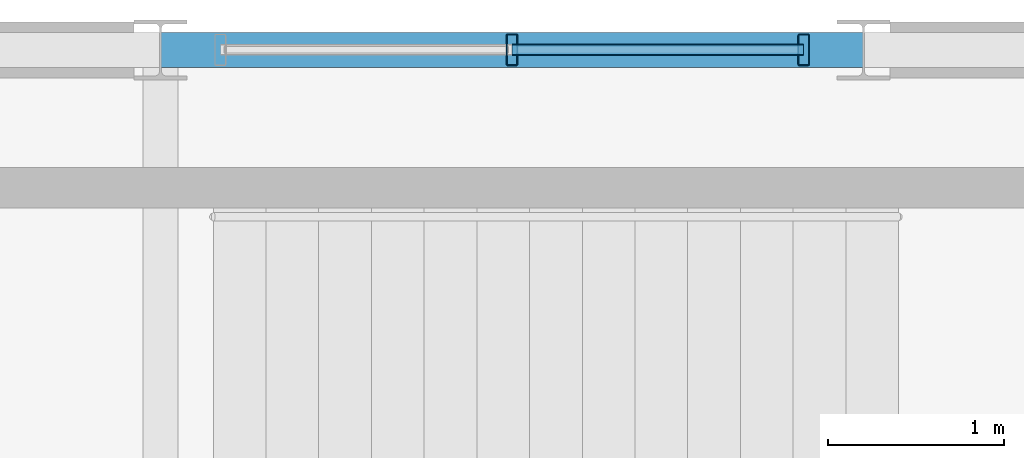
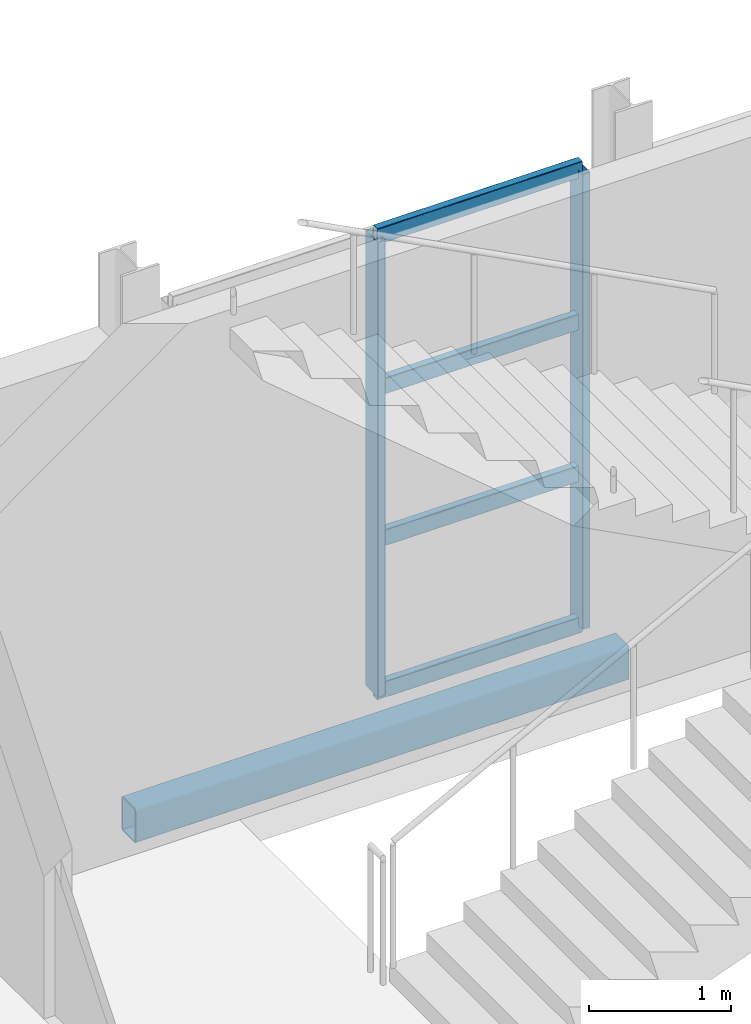
# One storey, part 102 of 153: 6 members, 1 beam, 1 element without a shape of its own.
"""IFC4 building model written with IfcOpenShell, lengths in metres."""

import ifcopenshell
import ifcopenshell.guid

model = None  # the IFC model being written
_history = None  # IfcOwnerHistory: only IFC2X3 demands one
_inside = {}  # id of a spatial element -> (the spatial element, [elements in it])
_under = {}  # id of a project, library or spatial element -> (it, [spatial elements below it])
_declared = {}  # id of a project -> (the project, [libraries it declares])
_typed = {}  # id of a type object -> (the type object, [elements of that type])
_made_of = {}  # id of a material, layer set ... -> (it, [elements and type objects made of it])


def new_model(schema):
    """Start an empty IFC model of exactly this schema.

    Asked for "IFC4X3", IfcOpenShell would pick the latest addendum, in which some entities
    have other attributes; the version numbers below select the first issue.
    IFC2X3 requires an IfcOwnerHistory on every rooted entity: one is made here for all.
    """
    global model, _history
    if schema == "IFC4X3":
        model = ifcopenshell.file(schema_version=(4, 3, 0, 0))
    else:
        model = ifcopenshell.file(schema=schema)
    _inside.clear()
    _under.clear()
    _declared.clear()
    _typed.clear()
    _made_of.clear()
    _history = None
    if model.schema == "IFC2X3":
        org = make("IfcOrganization", Name="unknown")
        user = make(
            "IfcPersonAndOrganization",
            ThePerson=make("IfcPerson", FamilyName="unknown"),
            TheOrganization=org,
        )
        app = make(
            "IfcApplication",
            ApplicationDeveloper=org,
            Version="unknown",
            ApplicationFullName="unknown",
            ApplicationIdentifier="unknown",
        )
        _history = make(
            "IfcOwnerHistory",
            OwningUser=user,
            OwningApplication=app,
            ChangeAction="ADDED",
            CreationDate=0,
        )
    return model


def make(cls, **values):
    """One entity of the class cls with the attributes given. An attribute that is None is left unset."""
    return model.create_entity(
        cls, **{name: value for name, value in values.items() if value is not None}
    )


def rooted(cls, **values):
    """An entity with a GlobalId (a new one), such as an element, a storey or a relation."""
    return make(cls, GlobalId=ifcopenshell.guid.new(), OwnerHistory=_history, **values)


def si_unit(unit_type, name, prefix=None):
    """IfcSIUnit, for example si_unit("LENGTHUNIT", "METRE", prefix="MILLI")."""
    return make("IfcSIUnit", UnitType=unit_type, Prefix=prefix, Name=name)


def derived_unit(unit_type, elements):
    """IfcDerivedUnit: a product of units, each with its exponent."""
    return make(
        "IfcDerivedUnit",
        Elements=[
            make("IfcDerivedUnitElement", Unit=unit, Exponent=power)
            for unit, power in elements
        ],
        UnitType=unit_type,
    )


def assignment(units):
    """IfcUnitAssignment: the units of a project."""
    return None if units is None else make("IfcUnitAssignment", Units=units)


def point(xyz):
    """IfcCartesianPoint."""
    return None if xyz is None else make("IfcCartesianPoint", Coordinates=xyz)


def direction(xyz):
    """IfcDirection."""
    return None if xyz is None else make("IfcDirection", DirectionRatios=xyz)


def frame(location, z_axis=None, x_axis=None):
    """IfcAxis2Placement3D, a coordinate frame: its origin and axes. An axis left out is left unset."""
    return make(
        "IfcAxis2Placement3D",
        Location=point(location),
        Axis=direction(z_axis),
        RefDirection=direction(x_axis),
    )


def frame_2d(location, x_axis=None):
    """IfcAxis2Placement2D, a coordinate frame in the plane: its origin and x axis."""
    return make(
        "IfcAxis2Placement2D", Location=point(location), RefDirection=direction(x_axis)
    )


def origin():
    """The frame at (0, 0, 0) with its axes left unset."""
    return frame((0.0, 0.0, 0.0))


def origin_2d():
    """The frame at (0, 0) in the plane with its x axis left unset."""
    return frame_2d((0.0, 0.0))


def place(relative_to, where):
    """IfcLocalPlacement: puts the frame where relative to a parent placement (None: the world)."""
    return make(
        "IfcLocalPlacement", PlacementRelTo=relative_to, RelativePlacement=where
    )


def context(
    kind, dimensions, precision=None, world=None, true_north=None, identifier=None
):
    """IfcGeometricRepresentationContext, for example the 3D "Model" context."""
    return make(
        "IfcGeometricRepresentationContext",
        ContextIdentifier=identifier,
        ContextType=kind,
        CoordinateSpaceDimension=dimensions,
        Precision=precision,
        WorldCoordinateSystem=world,
        TrueNorth=true_north,
    )


def subcontext(parent, identifier, kind, view, scale=None):
    """IfcGeometricRepresentationSubContext, for example "Body" below "Model"."""
    return make(
        "IfcGeometricRepresentationSubContext",
        ContextIdentifier=identifier,
        ContextType=kind,
        ParentContext=parent,
        TargetScale=scale,
        TargetView=view,
    )


def project(units=None, contexts=None):
    """IfcProject with its units and contexts."""
    return rooted(
        "IfcProject",
        Name="project",
        RepresentationContexts=contexts,
        UnitsInContext=assignment(units),
    )


def spatial(cls, under=None, at=None, **own):
    """A site, building, storey or space (cls), placed at a placement, below another one or the project."""
    s = rooted(cls, ObjectPlacement=at, **own)
    if under is not None:
        _under.setdefault(under.id(), (under, []))[1].append(s)
    return s


def profile(cls, at=None, kind="AREA", **sizes):
    """A parametric profile (cls). Its sizes go by their IFC names, for example OverallWidth=200.0."""
    return make(cls, ProfileType=kind, Position=at, **sizes)


def hollow_rectangle(**sizes):
    """IfcRectangleHollowProfileDef."""
    return profile("IfcRectangleHollowProfileDef", **sizes)


def extrude(swept, where, along, depth):
    """IfcExtrudedAreaSolid: the profile swept, set in the frame where, extruded along a direction by depth."""
    return make(
        "IfcExtrudedAreaSolid",
        SweptArea=swept,
        Position=where,
        ExtrudedDirection=direction(along),
        Depth=depth,
    )


def shape(context_of_items, identifier, shape_type, items):
    """IfcShapeRepresentation: the items that make up one representation, for example the "Body"."""
    return make(
        "IfcShapeRepresentation",
        ContextOfItems=context_of_items,
        RepresentationIdentifier=identifier,
        RepresentationType=shape_type,
        Items=items,
    )


def material(Name=None, Category=None):
    """IfcMaterial."""
    return make("IfcMaterial", Name=Name, Category=Category)


def material_profile(
    of_material, cross_section, Name=None, Category=None, Priority=None
):
    """IfcMaterialProfile: a cross section and its material."""
    return make(
        "IfcMaterialProfile",
        Name=Name,
        Material=of_material,
        Profile=cross_section,
        Priority=Priority,
        Category=Category,
    )


def profile_set(profiles, Name=None, composite=None):
    """IfcMaterialProfileSet."""
    return make(
        "IfcMaterialProfileSet",
        Name=Name,
        MaterialProfiles=profiles,
        CompositeProfile=composite,
    )


def made_of(thing, what):
    """Note that an element or type object is made of a material, layer set ...; save() writes the relation."""
    if what is not None:
        _made_of.setdefault(what.id(), (what, []))[1].append(thing)
    return thing


def type_object(cls, material=None, **own):
    """A type object (cls), such as IfcWallType, which elements share."""
    return made_of(rooted(cls, **own), material)


def element(
    cls,
    number,
    at=None,
    inside=None,
    cuts=None,
    type_object=None,
    material=None,
    context=None,
    identifier="Body",
    shape_type=None,
    held_by="IfcProductDefinitionShape",
    body=None,
    shapes=None,
    **own,
):
    """One element of the class cls, such as IfcWall. Its Tag is "e" and its number.

    at: its placement. inside: the storey or other place that contains it. cuts: it is an
    opening in that element (IfcRelVoidsElement). A single representation is given by context,
    identifier, shape_type and body (its items); several are given by shapes. held_by: the class
    of the entity that holds the representations. save() writes the other relations.
    """
    e = rooted(cls, Tag="e%d" % number, ObjectPlacement=at, **own)
    if body is not None:
        shapes = [shape(context, identifier, shape_type, body)]
    if shapes is not None:
        e.Representation = make(held_by, Representations=shapes)
    if inside is not None:
        _inside.setdefault(inside.id(), (inside, []))[1].append(e)
    if cuts is not None:
        rooted(
            "IfcRelVoidsElement", RelatingBuildingElement=cuts, RelatedOpeningElement=e
        )
    if type_object is not None:
        _typed.setdefault(type_object.id(), (type_object, []))[1].append(e)
    return made_of(e, material)


def aggregate(whole, parts):
    """IfcRelAggregates: a whole, such as a stair, and the parts it consists of."""
    return rooted("IfcRelAggregates", RelatingObject=whole, RelatedObjects=parts)


def save(model, path):
    """Write the relations noted so far, then the file.

    IfcRelAggregates (storeys below a building ...), IfcRelContainedInSpatialStructure (elements
    in a storey), IfcRelDefinesByType, IfcRelAssociatesMaterial and IfcRelDeclares: one each for
    every whole, place, type object, material and project.
    """
    for whole, parts in _under.values():
        aggregate(whole, parts)
    for where, things in _inside.values():
        rooted(
            "IfcRelContainedInSpatialStructure",
            RelatedElements=things,
            RelatingStructure=where,
        )
    for kind, things in _typed.values():
        rooted("IfcRelDefinesByType", RelatedObjects=things, RelatingType=kind)
    for what, things in _made_of.values():
        rooted("IfcRelAssociatesMaterial", RelatedObjects=things, RelatingMaterial=what)
    for by, libraries in _declared.values():
        rooted("IfcRelDeclares", RelatingContext=by, RelatedDefinitions=libraries)
    model.write(path)


model = new_model("IFC4")

# Units and contexts
model_context = context("Model", 3, precision=1e-05, world=origin(), true_north=direction((0.0, 1.0)))
body_context = subcontext(model_context, "Body", "Model", "MODEL_VIEW")
ifc_project = project(units=[si_unit("LENGTHUNIT", "METRE"), si_unit("AREAUNIT", "SQUARE_METRE"), si_unit("VOLUMEUNIT", "CUBIC_METRE"), si_unit("PLANEANGLEUNIT", "RADIAN"), si_unit("MASSUNIT", "GRAM", prefix="KILO"), derived_unit("THERMALTRANSMITTANCEUNIT", [(si_unit("POWERUNIT", "WATT"), 1), (si_unit("LENGTHUNIT", "METRE"), -2), (si_unit("THERMODYNAMICTEMPERATUREUNIT", "KELVIN"), -1)])], contexts=[model_context])

# Site, building, storey
site_placement = place(None, origin())
site = spatial("IfcSite", under=ifc_project, at=site_placement, CompositionType="ELEMENT")
building_placement = place(site_placement, origin())
building = spatial("IfcBuilding", under=site, at=building_placement, Name="Keldorne Ridge Multi-Sports Centre", CompositionType="ELEMENT")
storey_placement = place(building_placement, frame((0.0, 0.0, 9.60009765625)))
storey = spatial("IfcBuildingStorey", under=building, at=storey_placement, Name="L02", CompositionType="ELEMENT", Elevation=9.60009765625)

# Beam
ifc_material_1 = material(Name="Steel S355", Category="steel")
ifc_material_profile_1 = material_profile(ifc_material_1, hollow_rectangle(XDim=0.199951171875, YDim=0.300048828125, WallThickness=0.012451171875, InnerFilletRadius=0.012451171875, OuterFilletRadius=0.02490234375, at=origin_2d()), Name="RHS 300x200x12.5")
ifc_profile_set_1 = profile_set([ifc_material_profile_1], Name="Steel S355")
beam_type = type_object("IfcBeamType", Name="BM-SP-01", PredefinedType="SPANDREL", material=ifc_profile_set_1)
beam_placement = place(storey_placement, frame((128.0, 117.0, -0.41015625), z_axis=(1.0, 0.0, 0.0), x_axis=(0.0, 1.0, 0.0)))
element("IfcBeam", 1, at=beam_placement, inside=storey, type_object=beam_type, Name="L02 primary beam 5.117", PredefinedType="SPANDREL", context=body_context, shape_type="SweptSolid", body=[
    extrude(hollow_rectangle(XDim=0.199951171875, YDim=0.300048828125, WallThickness=0.012451171875, InnerFilletRadius=0.012451171875, OuterFilletRadius=0.02490234375, at=origin_2d()), origin(), (0.0, 0.0, 1.0), 4.0),
])

# Curtain wall, members
ifc_material_2 = material(Name="Anodized aluminium", Category="aluminium")
curtain_wall_type = type_object("IfcCurtainWallType", Name="CW-CW-08", PredefinedType="NOTDEFINED", material=ifc_material_2)
curtain_wall_placement = place(storey_placement, origin())
curtain_wall = element("IfcCurtainWall", 2, at=curtain_wall_placement, inside=storey, type_object=curtain_wall_type, Name="East Wing L02 north curtain wall 152", PredefinedType="NOTDEFINED")
ifc_material_profile_2 = material_profile(ifc_material_2, hollow_rectangle(XDim=0.06494140625, YDim=0.179931640625, WallThickness=0.00439453125, InnerFilletRadius=0.00439453125, OuterFilletRadius=0.009033203125, at=origin_2d()), Name="ALU MULLION 180x65x4.5")
ifc_profile_set_2 = profile_set([ifc_material_profile_2], Name="Anodized aluminium")
member_type_1 = type_object("IfcMemberType", Name="MEM-ML-01", PredefinedType="MULLION", material=ifc_profile_set_2)
member_1_placement = place(storey_placement, frame((131.659912109375, 117.0, 0.0), z_axis=(0.0, 0.0, 1.0), x_axis=(1.0, 0.0, 0.0)))
member_1 = element("IfcMember", 3, at=member_1_placement, type_object=member_type_1, Name="CW-152 vertical mullion 1", PredefinedType="MULLION", context=body_context, shape_type="SweptSolid", body=[
    extrude(hollow_rectangle(XDim=0.06494140625, YDim=0.179931640625, WallThickness=0.00439453125, InnerFilletRadius=0.00439453125, OuterFilletRadius=0.009033203125, at=origin_2d()), origin(), (0.0, 0.0, 1.0), 3.89990234375),
])
member_2_placement = place(storey_placement, frame((130.0, 117.0, 0.0), z_axis=(0.0, 0.0, 1.0), x_axis=(1.0, 0.0, 0.0)))
member_2 = element("IfcMember", 4, at=member_2_placement, type_object=member_type_1, Name="CW-152 vertical mullion 2", PredefinedType="MULLION", context=body_context, shape_type="SweptSolid", body=[
    extrude(hollow_rectangle(XDim=0.06494140625, YDim=0.179931640625, WallThickness=0.00439453125, InnerFilletRadius=0.00439453125, OuterFilletRadius=0.009033203125, at=origin_2d()), origin(), (0.0, 0.0, 1.0), 3.89990234375),
])
ifc_material_profile_3 = material_profile(ifc_material_2, hollow_rectangle(XDim=0.06494140625, YDim=0.139892578125, WallThickness=0.00439453125, InnerFilletRadius=0.00439453125, OuterFilletRadius=0.009033203125, at=origin_2d()), Name="ALU TRANSOM 140x65x4.5")
ifc_profile_set_3 = profile_set([ifc_material_profile_3], Name="Anodized aluminium")
member_type_2 = type_object("IfcMemberType", Name="MEM-TR-01", PredefinedType="USERDEFINED", material=ifc_profile_set_3)
member_3_placement = place(storey_placement, frame((131.659912109375, 117.0, 0.0), z_axis=(-1.0, 0.0, 0.0), x_axis=(0.0, -1.0, 0.0)))
member_3 = element("IfcMember", 5, at=member_3_placement, type_object=member_type_2, Name="CW-152 transom 1.1", ObjectType="TRANSOM", PredefinedType="USERDEFINED", context=body_context, shape_type="SweptSolid", body=[
    extrude(hollow_rectangle(XDim=0.06494140625, YDim=0.139892578125, WallThickness=0.00439453125, InnerFilletRadius=0.00439453125, OuterFilletRadius=0.009033203125, at=origin_2d()), origin(), (0.0, 0.0, 1.0), 1.659912109375),
])
member_4_placement = place(storey_placement, frame((131.659912109375, 117.0, 1.2998046875), z_axis=(-1.0, 0.0, 0.0), x_axis=(0.0, -1.0, 0.0)))
member_4 = element("IfcMember", 6, at=member_4_placement, type_object=member_type_2, Name="CW-152 transom 1.2", ObjectType="TRANSOM", PredefinedType="USERDEFINED", context=body_context, shape_type="SweptSolid", body=[
    extrude(hollow_rectangle(XDim=0.06494140625, YDim=0.139892578125, WallThickness=0.00439453125, InnerFilletRadius=0.00439453125, OuterFilletRadius=0.009033203125, at=origin_2d()), origin(), (0.0, 0.0, 1.0), 1.659912109375),
])
member_5_placement = place(storey_placement, frame((131.659912109375, 117.0, 2.599853515625), z_axis=(-1.0, 0.0, 0.0), x_axis=(0.0, -1.0, 0.0)))
member_5 = element("IfcMember", 7, at=member_5_placement, type_object=member_type_2, Name="CW-152 transom 1.3", ObjectType="TRANSOM", PredefinedType="USERDEFINED", context=body_context, shape_type="SweptSolid", body=[
    extrude(hollow_rectangle(XDim=0.06494140625, YDim=0.139892578125, WallThickness=0.00439453125, InnerFilletRadius=0.00439453125, OuterFilletRadius=0.009033203125, at=origin_2d()), origin(), (0.0, 0.0, 1.0), 1.659912109375),
])
member_6_placement = place(storey_placement, frame((131.659912109375, 117.0, 3.89990234375), z_axis=(-1.0, 0.0, 0.0), x_axis=(0.0, -1.0, 0.0)))
member_6 = element("IfcMember", 8, at=member_6_placement, type_object=member_type_2, Name="CW-152 transom 1.4", ObjectType="TRANSOM", PredefinedType="USERDEFINED", context=body_context, shape_type="SweptSolid", body=[
    extrude(hollow_rectangle(XDim=0.06494140625, YDim=0.139892578125, WallThickness=0.00439453125, InnerFilletRadius=0.00439453125, OuterFilletRadius=0.009033203125, at=origin_2d()), origin(), (0.0, 0.0, 1.0), 1.659912109375),
])
aggregate(curtain_wall, [member_1, member_2, member_3, member_4, member_5, member_6])

save(model, "model.ifc")
